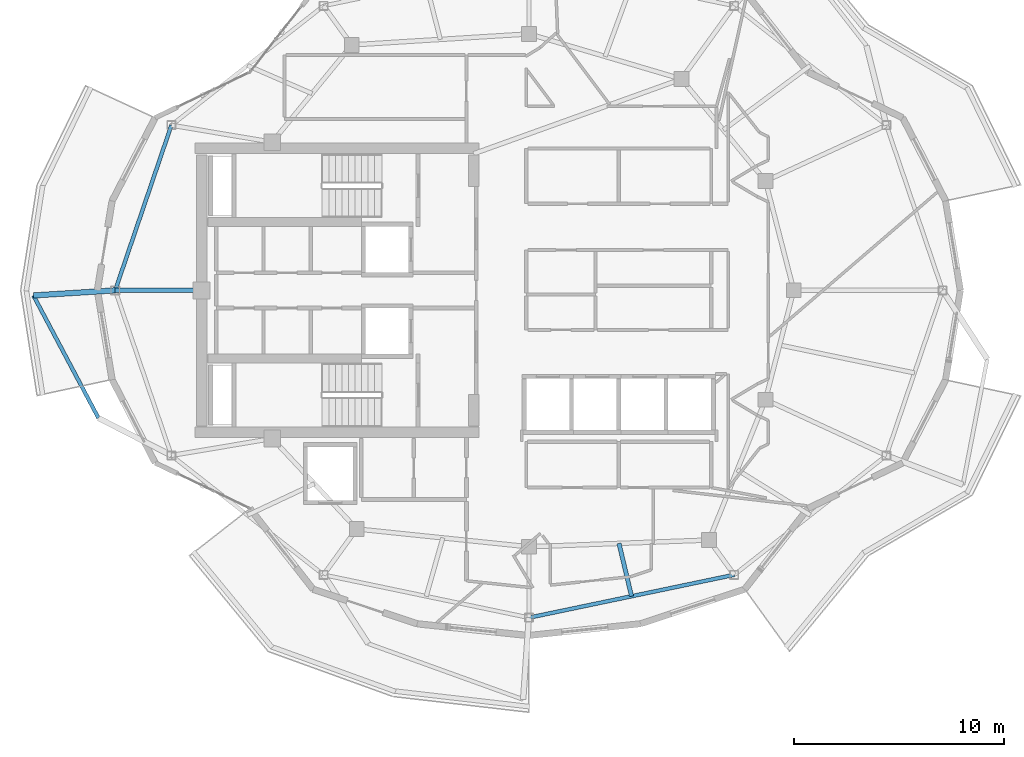
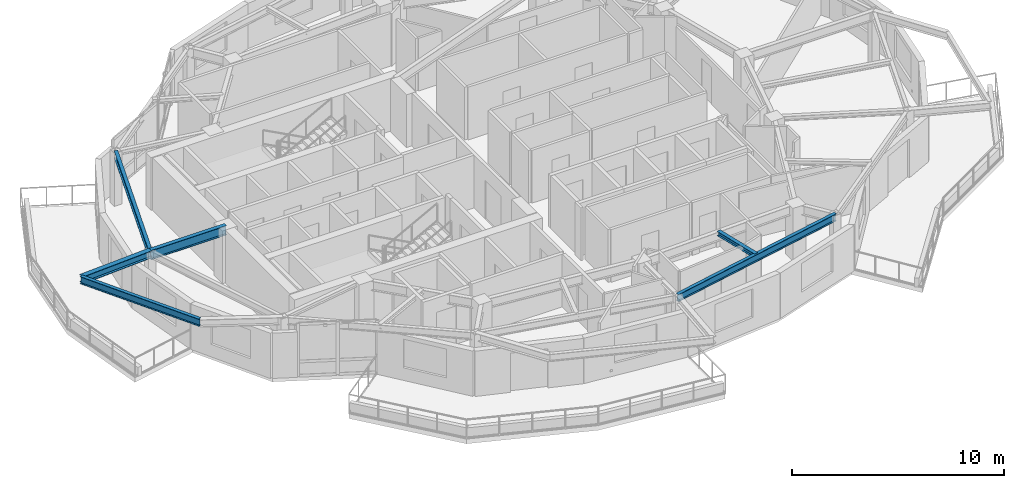
# One storey, part 3 of 14: 6 beams.
"""IFC4 building model written with IfcOpenShell, lengths in metres."""

from ifc_helpers import new_model, si_unit, direction, frame, origin, origin_2d, place, context, subcontext, project, spatial, i_section, extrude, material, material_profile, profile_set, type_object, element, save


model = new_model("IFC4")

# Units and contexts
model_context = context("Model", 3, precision=1e-05, world=origin(), true_north=direction((0.0, 1.0)))
body_context = subcontext(model_context, "Body", "Model", "MODEL_VIEW")
ifc_project = project(units=[si_unit("LENGTHUNIT", "METRE"), si_unit("AREAUNIT", "SQUARE_METRE"), si_unit("VOLUMEUNIT", "CUBIC_METRE"), si_unit("PLANEANGLEUNIT", "RADIAN"), si_unit("MASSUNIT", "GRAM", prefix="KILO")], contexts=[model_context])

# Site, building, storey
site_placement = place(None, origin())
site = spatial("IfcSite", under=ifc_project, at=site_placement, CompositionType="ELEMENT")
building_placement = place(site_placement, origin())
building = spatial("IfcBuilding", under=site, at=building_placement, Name="Kolvaren Gate Tower and Convention Centre", CompositionType="ELEMENT")
storey_placement = place(building_placement, frame((0.0, 0.0, 259.10009765625)))
storey = spatial("IfcBuildingStorey", under=building, at=storey_placement, Name="L70", CompositionType="ELEMENT", Elevation=259.10009765625)

# Beams
ifc_material = material(Name="Structural steel ASTM A992 Grade 345 MPa", Category="steel")
ifc_material_profile_1 = material_profile(ifc_material, i_section(OverallWidth=0.260009765625, OverallDepth=0.419921875, WebThickness=0.013427734375, FlangeThickness=0.0224609375, at=origin_2d()), Name="W410X132")
ifc_profile_set_1 = profile_set([ifc_material_profile_1], Name="Structural steel ASTM A992 Grade 345 MPa")
beam_type_1 = type_object("IfcBeamType", Name="STR-BM-W410X132", PredefinedType="BEAM", material=ifc_profile_set_1)
beam_1_placement = place(storey_placement, frame((10.44384765625, 27.0, 2.8203125), z_axis=(-0.998046484143, -0.062475719198, 0.0), x_axis=(0.062475719198, -0.998046484143, 0.0)))
element("IfcBeam", 1, at=beam_1_placement, inside=storey, type_object=beam_type_1, Name="Tower L71 Planted Balcony Outrigger Cantilever BC-2A", PredefinedType="BEAM", context=body_context, shape_type="SweptSolid", body=[
    extrude(i_section(OverallWidth=0.260009765625, OverallDepth=0.419921875, WebThickness=0.013427734375, FlangeThickness=0.0224609375, at=origin_2d()), origin(), (0.0, 0.0, 1.0), 3.89990234375),
])
ifc_material_profile_2 = material_profile(ifc_material, i_section(OverallWidth=0.2119140625, OverallDepth=0.5439453125, WebThickness=0.01318359375, FlangeThickness=0.021240234375, at=origin_2d()), Name="W530X123")
ifc_profile_set_2 = profile_set([ifc_material_profile_2], Name="Structural steel ASTM A992 Grade 345 MPa")
beam_type_2 = type_object("IfcBeamType", Name="STR-BM-W530X123", PredefinedType="BEAM", material=ifc_profile_set_2)
beam_2_placement = place(storey_placement, frame((14.550048828125, 27.0, 2.7578125), z_axis=(-1.0, 0.0, 0.0), x_axis=(0.0, -1.0, 0.0)))
element("IfcBeam", 2, at=beam_2_placement, inside=storey, type_object=beam_type_2, Name="Tower L70 Radial Floor Girder RB-07", PredefinedType="BEAM", context=body_context, shape_type="SweptSolid", body=[
    extrude(i_section(OverallWidth=0.2119140625, OverallDepth=0.5439453125, WebThickness=0.01318359375, FlangeThickness=0.021240234375, at=origin_2d()), origin(), (0.0, 0.0, 1.0), 4.106201171875),
])
ifc_material_profile_3 = material_profile(ifc_material, i_section(OverallWidth=0.202880859375, OverallDepth=0.251953125, WebThickness=0.008056640625, FlangeThickness=0.013427734375, at=origin_2d()), Name="W250X58")
ifc_profile_set_3 = profile_set([ifc_material_profile_3], Name="Structural steel ASTM A992 Grade 345 MPa")
beam_type_3 = type_object("IfcBeamType", Name="STR-JS-W250X58", PredefinedType="JOIST", material=ifc_profile_set_3)
beam_3_placement = place(storey_placement, frame((34.41162109375, 14.960205078125, 2.90380859375), z_axis=(0.231075782924, -0.972935754583, 0.0), x_axis=(0.972935754583, 0.231075782924, 0.0)))
element("IfcBeam", 3, at=beam_3_placement, inside=storey, type_object=beam_type_3, Name="Tower L70 Secondary Composite Floor Joist J-10.1", PredefinedType="JOIST", context=body_context, shape_type="SweptSolid", body=[
    extrude(i_section(OverallWidth=0.202880859375, OverallDepth=0.251953125, WebThickness=0.008056640625, FlangeThickness=0.013427734375, at=origin_2d()), origin(), (0.0, 0.0, 1.0), 2.58544921875),
])
ifc_material_profile_4 = material_profile(ifc_material, i_section(OverallWidth=0.180908203125, OverallDepth=0.4169921875, WebThickness=0.010986328125, FlangeThickness=0.018310546875, at=origin_2d()), Name="W410X85")
ifc_profile_set_4 = profile_set([ifc_material_profile_4], Name="Structural steel ASTM A992 Grade 345 MPa")
beam_type_4 = type_object("IfcBeamType", Name="STR-SP-W410X85", PredefinedType="SPANDREL", material=ifc_profile_set_4)
beam_4_placement = place(storey_placement, frame((13.1162109375, 34.856201171875, 2.8212890625), z_axis=(-0.322038282171, -0.946726647357, 0.0), x_axis=(0.946726647357, -0.322038282171, 0.0)))
element("IfcBeam", 4, at=beam_4_placement, inside=storey, type_object=beam_type_4, Name="Tower L70 Perimeter Spandrel Beam SP-06", PredefinedType="SPANDREL", context=body_context, shape_type="SweptSolid", body=[
    extrude(i_section(OverallWidth=0.180908203125, OverallDepth=0.4169921875, WebThickness=0.010986328125, FlangeThickness=0.018310546875, at=origin_2d()), origin(), (0.0, 0.0, 1.0), 8.29833984375),
])
beam_5_placement = place(storey_placement, frame((30.125, 11.425048828125, 2.8212890625), z_axis=(0.978885668593, 0.204408531681, 0.0), x_axis=(-0.204408531681, 0.978885668593, 0.0)))
element("IfcBeam", 5, at=beam_5_placement, inside=storey, type_object=beam_type_4, Name="Tower L70 Perimeter Spandrel Beam SP-10", PredefinedType="SPANDREL", context=body_context, shape_type="SweptSolid", body=[
    extrude(i_section(OverallWidth=0.180908203125, OverallDepth=0.4169921875, WebThickness=0.010986328125, FlangeThickness=0.018310546875, at=origin_2d()), origin(), (0.0, 0.0, 1.0), 9.97900390625),
])
beam_6_placement = place(storey_placement, frame((6.551513671875, 26.75634765625, 2.822021484375), z_axis=(0.468677532084, -0.883369328718, 0.0), x_axis=(0.883369328718, 0.468677532084, 0.0)))
element("IfcBeam", 6, at=beam_6_placement, inside=storey, type_object=beam_type_4, Name="Tower L71 Planted Balcony Header Tie Beam BT-2", PredefinedType="SPANDREL", context=body_context, shape_type="SweptSolid", body=[
    extrude(i_section(OverallWidth=0.180908203125, OverallDepth=0.4169921875, WebThickness=0.010986328125, FlangeThickness=0.018310546875, at=origin_2d()), origin(), (0.0, 0.0, 1.0), 6.6025390625),
])

save(model, "model.ifc")
